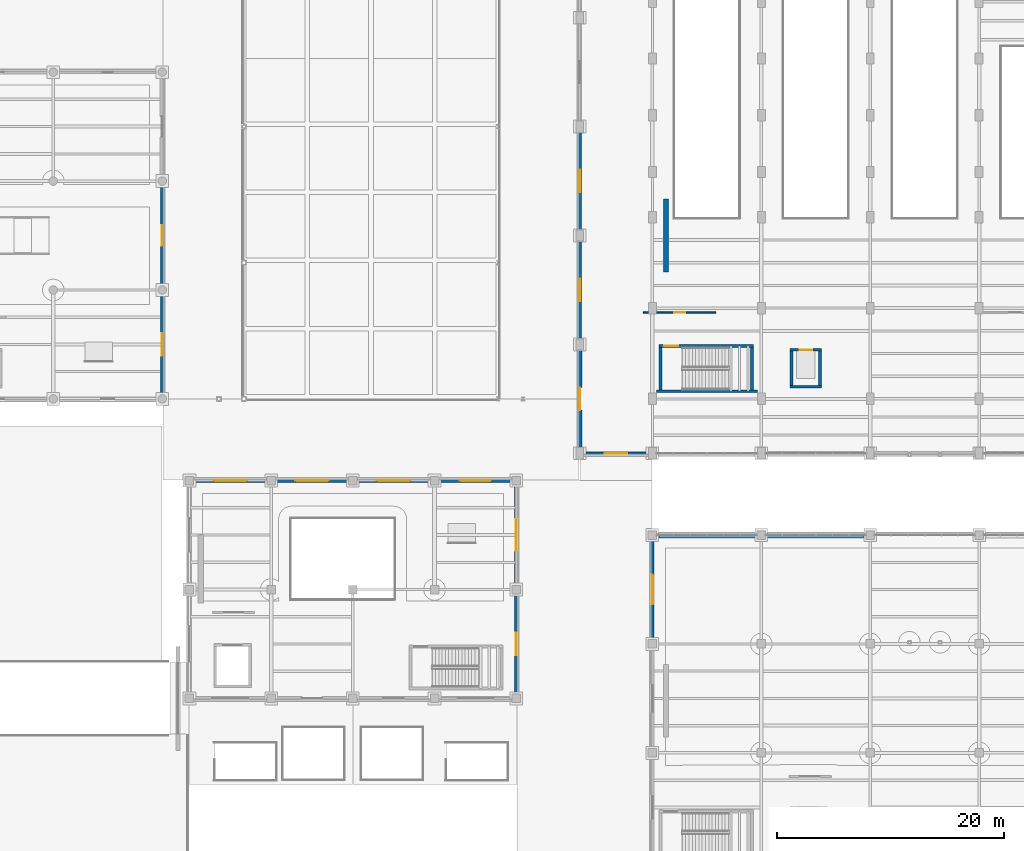
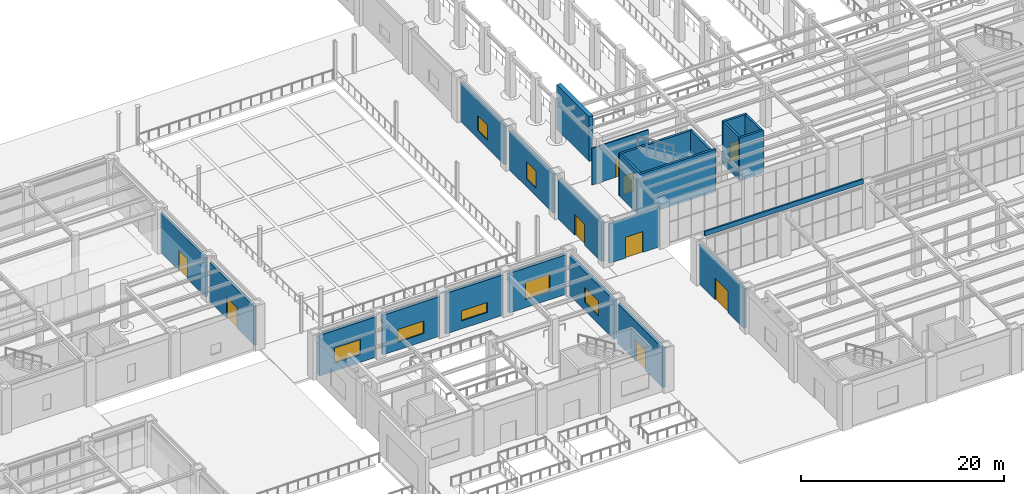
# One storey, part 132 of 164: 24 walls, 9 doors, 7 windows, 16 openings.
"""IFC4 building model written with IfcOpenShell, lengths in metres."""

from ifc_helpers import new_model, si_unit, direction, frame, frame_2d, origin, place, context, subcontext, project, spatial, rectangle, extrude, material, layer, layer_set, type_object, element, fill, save


model = new_model("IFC4")

# Units and contexts
model_context = context("Model", 3, precision=1e-05, world=origin(), true_north=direction((0.0, 1.0)))
body_context = subcontext(model_context, "Body", "Model", "MODEL_VIEW")
ifc_project = project(units=[si_unit("LENGTHUNIT", "METRE"), si_unit("AREAUNIT", "SQUARE_METRE"), si_unit("VOLUMEUNIT", "CUBIC_METRE"), si_unit("PLANEANGLEUNIT", "RADIAN"), si_unit("MASSUNIT", "GRAM", prefix="KILO")], contexts=[model_context])

# Site, building, storey
site_placement = place(None, origin())
site = spatial("IfcSite", under=ifc_project, at=site_placement, CompositionType="ELEMENT")
building_placement = place(site_placement, origin())
building = spatial("IfcBuilding", under=site, at=building_placement, Name="Mavantir Sound Aquarium", CompositionType="ELEMENT")
storey_placement = place(building_placement, origin())
storey = spatial("IfcBuildingStorey", under=building, at=storey_placement, Name="L00", CompositionType="ELEMENT", Elevation=0.0)

# Wall, opening, door
ifc_material_1 = material(Name="Coral-Buff Architectural Precast Concrete C40/50", Category="concrete")
ifc_layer_1 = layer(ifc_material_1, 0.31005859375, Name="Coral-Buff Architectural Precast Concrete C40/50")
ifc_layer_set_1 = layer_set([ifc_layer_1], Name="Coral-Buff Architectural Precast Concrete C40/50")
wall_type_1 = type_object("IfcWallType", Name="EW-CORAL-310", PredefinedType="SOLIDWALL", material=ifc_layer_set_1)
wall_1_placement = place(storey_placement, frame((108.0, 28.4169921875, 0.0), z_axis=(0.0, 0.0, 1.0), x_axis=(0.0, -1.0, 0.0)))
wall_1 = element("IfcWall", 1, at=wall_1_placement, inside=storey, type_object=wall_type_1, Name="L00 exterior facade wall EW-02 116", PredefinedType="SOLIDWALL", context=body_context, shape_type="SweptSolid", body=[
    extrude(rectangle(XDim=8.833984375, YDim=0.31005859375, at=frame_2d((4.4169921875, 0.0))), origin(), (0.0, 0.0, 1.0), 4.778076171875),
])
opening_1_placement = place(wall_1_placement, frame((5.717041015625, 0.0, 0.0), z_axis=(0.0, 0.0, 1.0), x_axis=(-1.0, 0.0, 0.0)))
opening_1 = element("IfcOpeningElement", 2, at=opening_1_placement, cuts=wall_1, Name="Opening SG-05", PredefinedType="OPENING", context=body_context, shape_type="SweptSolid", body=[
    extrude(rectangle(XDim=2.60009765625, YDim=2.60009765625, at=frame_2d((1.300048828125, 1.300048828125))), frame((0.0, 0.1650390625, 0.0), z_axis=(0.0, -1.0, 0.0), x_axis=(1.0, 0.0, 0.0)), (0.0, 0.0, 1.0), 0.330078125),
])
ifc_material_2 = material(Name="Marine-Grade Anodised Aluminium and Laminated Glass", Category="aluminium")
door_type_1 = type_object("IfcDoorType", Name="DR-GATE-260", OperationType="NOTDEFINED", PredefinedType="GATE", material=ifc_material_2)
door_1_placement = place(opening_1_placement, origin())
door_1 = element("IfcDoor", 3, at=door_1_placement, inside=storey, type_object=door_type_1, Name="Life support plant equipment gate SG-05", OperationType="ROLLINGUP", OverallHeight=2.60009765625, OverallWidth=2.60009765625, PredefinedType="GATE", context=body_context, shape_type="SweptSolid", body=[
    extrude(rectangle(XDim=2.60009765625, YDim=2.60009765625, at=frame_2d((1.300048828125, 1.300048828125))), frame((0.0, 0.02490234375, 0.0), z_axis=(0.0, -1.0, 0.0), x_axis=(1.0, 0.0, 0.0)), (0.0, 0.0, 1.0), 0.050048828125),
])
fill(opening_1, door_1)

ifc_layer_2 = layer(ifc_material_1, 0.340087890625, Name="Coral-Buff Architectural Precast Concrete C40/50")
ifc_layer_set_2 = layer_set([ifc_layer_2], Name="Coral-Buff Architectural Precast Concrete C40/50")
wall_type_2 = type_object("IfcWallType", Name="EW-CORAL-340", PredefinedType="SOLIDWALL", material=ifc_layer_set_2)
wall_2_placement = place(storey_placement, frame((96.0, 14.782958984375, 0.0), z_axis=(0.0, 0.0, 1.0), x_axis=(0.0, 1.0, 0.0)))
wall_2 = element("IfcWall", 4, at=wall_2_placement, inside=storey, type_object=wall_type_2, Name="L00 exterior facade wall EW-01 126", PredefinedType="SOLIDWALL", context=body_context, shape_type="SweptSolid", body=[
    extrude(rectangle(XDim=8.833984375, YDim=0.340087890625, at=frame_2d((4.4169921875, 0.0))), origin(), (0.0, 0.0, 1.0), 4.76611328125),
])
opening_2_placement = place(wall_2_placement, frame((5.4169921875, 0.0, 0.0), z_axis=(0.0, 0.0, 1.0), x_axis=(-1.0, 0.0, 0.0)))
opening_2 = element("IfcOpeningElement", 5, at=opening_2_placement, cuts=wall_2, Name="Opening EXD-01", PredefinedType="OPENING", context=body_context, shape_type="SweptSolid", body=[
    extrude(rectangle(XDim=2.0, YDim=2.5, at=frame_2d((1.0, 1.25))), frame((0.0, 0.18017578125, 0.0), z_axis=(0.0, -1.0, 0.0), x_axis=(1.0, 0.0, 0.0)), (0.0, 0.0, 1.0), 0.360107421875),
])
door_type_2 = type_object("IfcDoorType", Name="DR-EX-200", OperationType="NOTDEFINED", PredefinedType="DOOR", material=ifc_material_2)
door_2_placement = place(opening_2_placement, origin())
door_2 = element("IfcDoor", 6, at=door_2_placement, inside=storey, type_object=door_type_2, Name="Final exit door EX-10 (V7 ST11 discharge)", OperationType="DOUBLE_DOOR_SINGLE_SWING", OverallHeight=2.5, OverallWidth=2.0, PredefinedType="DOOR", context=body_context, shape_type="SweptSolid", body=[
    extrude(rectangle(XDim=2.0, YDim=2.5, at=frame_2d((1.0, 1.25))), frame((0.0, 0.02490234375, 0.0), z_axis=(0.0, -1.0, 0.0), x_axis=(1.0, 0.0, 0.0)), (0.0, 0.0, 1.0), 0.050048828125),
])
fill(opening_2, door_2)

# Wall, opening, window
wall_3_placement = place(storey_placement, frame((96.0, 24.383056640625, 0.0), z_axis=(0.0, 0.0, 1.0), x_axis=(0.0, 1.0, 0.0)))
wall_3 = element("IfcWall", 7, at=wall_3_placement, inside=storey, type_object=wall_type_2, Name="L00 exterior facade wall EW-01 127", PredefinedType="SOLIDWALL", context=body_context, shape_type="SweptSolid", body=[
    extrude(rectangle(XDim=8.833984375, YDim=0.340087890625, at=frame_2d((4.4169921875, 0.0))), origin(), (0.0, 0.0, 1.0), 4.64892578125),
])
opening_3_placement = place(wall_3_placement, frame((3.0419921875, 0.0, 0.949951171875)))
opening_3 = element("IfcOpeningElement", 8, at=opening_3_placement, cuts=wall_3, Name="Opening W-39", PredefinedType="OPENING", context=body_context, shape_type="SweptSolid", body=[
    extrude(rectangle(XDim=2.75, YDim=1.800048828125, at=frame_2d((1.375, 0.89990234375))), frame((0.0, 0.18017578125, 0.0), z_axis=(0.0, -1.0, 0.0), x_axis=(1.0, 0.0, 0.0)), (0.0, 0.0, 1.0), 0.360107421875),
])
ifc_material_3 = material(Name="Thermally Broken Aluminium and Low-E Glass", Category="aluminium")
window_type_1 = type_object("IfcWindowType", Name="WIN-EXT-39", PartitioningType="TRIPLE_PANEL_VERTICAL", PredefinedType="WINDOW", material=ifc_material_3)
window_1_placement = place(opening_3_placement, origin())
window_1 = element("IfcWindow", 9, at=window_1_placement, inside=storey, type_object=window_type_1, Name="L00 facade window W-39 39", OverallHeight=1.800048828125, OverallWidth=2.75, PartitioningType="SINGLE_PANEL", PredefinedType="WINDOW", context=body_context, shape_type="SweptSolid", body=[
    extrude(rectangle(XDim=2.75, YDim=1.800048828125, at=frame_2d((1.375, 0.89990234375))), frame((0.0, 0.030029296875, 0.0), z_axis=(0.0, -1.0, 0.0), x_axis=(1.0, 0.0, 0.0)), (0.0, 0.0, 1.0), 0.06005859375),
])
fill(opening_3, window_1)

wall_4_placement = place(storey_placement, frame((95.616943359375, 33.60009765625, 0.0), z_axis=(0.0, 0.0, 1.0), x_axis=(-1.0, 0.0, 0.0)))
wall_4 = element("IfcWall", 10, at=wall_4_placement, inside=storey, type_object=wall_type_2, Name="L00 exterior facade wall EW-01 128", PredefinedType="SOLIDWALL", context=body_context, shape_type="SweptSolid", body=[
    extrude(rectangle(XDim=6.433837890625, YDim=0.340087890625, at=frame_2d((3.216796875, 0.0))), origin(), (0.0, 0.0, 1.0), 4.758056640625),
])
opening_4_placement = place(wall_4_placement, frame((1.842041015625, 0.0, 0.949951171875)))
opening_4 = element("IfcOpeningElement", 11, at=opening_4_placement, cuts=wall_4, Name="Opening W-40", PredefinedType="OPENING", context=body_context, shape_type="SweptSolid", body=[
    extrude(rectangle(XDim=2.75, YDim=2.10009765625, at=frame_2d((1.375, 1.050048828125))), frame((0.0, 0.18017578125, 0.0), z_axis=(0.0, -1.0, 0.0), x_axis=(1.0, 0.0, 0.0)), (0.0, 0.0, 1.0), 0.360107421875),
])
window_type_2 = type_object("IfcWindowType", Name="WIN-EXT-40", PartitioningType="TRIPLE_PANEL_VERTICAL", PredefinedType="WINDOW", material=ifc_material_3)
window_2_placement = place(opening_4_placement, origin())
window_2 = element("IfcWindow", 12, at=window_2_placement, inside=storey, type_object=window_type_2, Name="L00 facade window W-40 40", OverallHeight=2.10009765625, OverallWidth=2.75, PartitioningType="SINGLE_PANEL", PredefinedType="WINDOW", context=body_context, shape_type="SweptSolid", body=[
    extrude(rectangle(XDim=2.75, YDim=2.10009765625, at=frame_2d((1.375, 1.050048828125))), frame((0.0, 0.030029296875, 0.0), z_axis=(0.0, -1.0, 0.0), x_axis=(1.0, 0.0, 0.0)), (0.0, 0.0, 1.0), 0.06005859375),
])
fill(opening_4, window_2)

wall_5_placement = place(storey_placement, frame((88.4169921875, 33.60009765625, 0.0), z_axis=(0.0, 0.0, 1.0), x_axis=(-1.0, 0.0, 0.0)))
wall_5 = element("IfcWall", 13, at=wall_5_placement, inside=storey, type_object=wall_type_2, Name="L00 exterior facade wall EW-01 129", PredefinedType="SOLIDWALL", context=body_context, shape_type="SweptSolid", body=[
    extrude(rectangle(XDim=6.43408203125, YDim=0.340087890625, at=frame_2d((3.217041015625, 0.0))), origin(), (0.0, 0.0, 1.0), 4.863037109375),
])
opening_5_placement = place(wall_5_placement, frame((1.741943359375, 0.0, 0.949951171875)))
opening_5 = element("IfcOpeningElement", 14, at=opening_5_placement, cuts=wall_5, Name="Opening W-41", PredefinedType="OPENING", context=body_context, shape_type="SweptSolid", body=[
    extrude(rectangle(XDim=2.949951171875, YDim=1.199951171875, at=frame_2d((1.47509765625, 0.60009765625))), frame((0.0, 0.18017578125, 0.0), z_axis=(0.0, -1.0, 0.0), x_axis=(1.0, 0.0, 0.0)), (0.0, 0.0, 1.0), 0.360107421875),
])
window_type_3 = type_object("IfcWindowType", Name="WIN-EXT-41", PartitioningType="TRIPLE_PANEL_VERTICAL", PredefinedType="WINDOW", material=ifc_material_3)
window_3_placement = place(opening_5_placement, origin())
window_3 = element("IfcWindow", 15, at=window_3_placement, inside=storey, type_object=window_type_3, Name="L00 facade window W-41 41", OverallHeight=1.199951171875, OverallWidth=2.949951171875, PartitioningType="SINGLE_PANEL", PredefinedType="WINDOW", context=body_context, shape_type="SweptSolid", body=[
    extrude(rectangle(XDim=2.949951171875, YDim=1.199951171875, at=frame_2d((1.47509765625, 0.60009765625))), frame((0.0, 0.030029296875, 0.0), z_axis=(0.0, -1.0, 0.0), x_axis=(1.0, 0.0, 0.0)), (0.0, 0.0, 1.0), 0.06005859375),
])
fill(opening_5, window_3)

wall_6_placement = place(storey_placement, frame((81.217041015625, 33.60009765625, 0.0), z_axis=(0.0, 0.0, 1.0), x_axis=(-1.0, 0.0, 0.0)))
wall_6 = element("IfcWall", 16, at=wall_6_placement, inside=storey, type_object=wall_type_2, Name="L00 exterior facade wall EW-01 130", PredefinedType="SOLIDWALL", context=body_context, shape_type="SweptSolid", body=[
    extrude(rectangle(XDim=6.43408203125, YDim=0.340087890625, at=frame_2d((3.217041015625, 0.0))), origin(), (0.0, 0.0, 1.0), 4.758056640625),
])
opening_6_placement = place(wall_6_placement, frame((1.741943359375, 0.0, 0.949951171875)))
opening_6 = element("IfcOpeningElement", 17, at=opening_6_placement, cuts=wall_6, Name="Opening W-42", PredefinedType="OPENING", context=body_context, shape_type="SweptSolid", body=[
    extrude(rectangle(XDim=2.949951171875, YDim=1.5, at=frame_2d((1.47509765625, 0.75))), frame((0.0, 0.18017578125, 0.0), z_axis=(0.0, -1.0, 0.0), x_axis=(1.0, 0.0, 0.0)), (0.0, 0.0, 1.0), 0.360107421875),
])
window_type_4 = type_object("IfcWindowType", Name="WIN-EXT-42", PartitioningType="TRIPLE_PANEL_VERTICAL", PredefinedType="WINDOW", material=ifc_material_3)
window_4_placement = place(opening_6_placement, origin())
window_4 = element("IfcWindow", 18, at=window_4_placement, inside=storey, type_object=window_type_4, Name="L00 facade window W-42 42", OverallHeight=1.5, OverallWidth=2.949951171875, PartitioningType="SINGLE_PANEL", PredefinedType="WINDOW", context=body_context, shape_type="SweptSolid", body=[
    extrude(rectangle(XDim=2.949951171875, YDim=1.5, at=frame_2d((1.47509765625, 0.75))), frame((0.0, 0.030029296875, 0.0), z_axis=(0.0, -1.0, 0.0), x_axis=(1.0, 0.0, 0.0)), (0.0, 0.0, 1.0), 0.06005859375),
])
fill(opening_6, window_4)

wall_7_placement = place(storey_placement, frame((74.01708984375, 33.60009765625, 0.0), z_axis=(0.0, 0.0, 1.0), x_axis=(-1.0, 0.0, 0.0)))
wall_7 = element("IfcWall", 19, at=wall_7_placement, inside=storey, type_object=wall_type_2, Name="L00 exterior facade wall EW-01 131", PredefinedType="SOLIDWALL", context=body_context, shape_type="SweptSolid", body=[
    extrude(rectangle(XDim=6.43408203125, YDim=0.340087890625, at=frame_2d((3.217041015625, 0.0))), origin(), (0.0, 0.0, 1.0), 4.863037109375),
])
opening_7_placement = place(wall_7_placement, frame((1.741943359375, 0.0, 0.949951171875)))
opening_7 = element("IfcOpeningElement", 20, at=opening_7_placement, cuts=wall_7, Name="Opening W-43", PredefinedType="OPENING", context=body_context, shape_type="SweptSolid", body=[
    extrude(rectangle(XDim=2.949951171875, YDim=1.800048828125, at=frame_2d((1.47509765625, 0.89990234375))), frame((0.0, 0.18017578125, 0.0), z_axis=(0.0, -1.0, 0.0), x_axis=(1.0, 0.0, 0.0)), (0.0, 0.0, 1.0), 0.360107421875),
])
window_type_5 = type_object("IfcWindowType", Name="WIN-EXT-43", PartitioningType="TRIPLE_PANEL_VERTICAL", PredefinedType="WINDOW", material=ifc_material_3)
window_5_placement = place(opening_7_placement, origin())
window_5 = element("IfcWindow", 21, at=window_5_placement, inside=storey, type_object=window_type_5, Name="L00 facade window W-43 43", OverallHeight=1.800048828125, OverallWidth=2.949951171875, PartitioningType="SINGLE_PANEL", PredefinedType="WINDOW", context=body_context, shape_type="SweptSolid", body=[
    extrude(rectangle(XDim=2.949951171875, YDim=1.800048828125, at=frame_2d((1.47509765625, 0.89990234375))), frame((0.0, 0.030029296875, 0.0), z_axis=(0.0, -1.0, 0.0), x_axis=(1.0, 0.0, 0.0)), (0.0, 0.0, 1.0), 0.06005859375),
])
fill(opening_7, window_5)

# Wall
ifc_material_4 = material(Name="Architectural Precast Concrete C40/50", Category="concrete")
ifc_layer_3 = layer(ifc_material_4, 0.18994140625, Name="Architectural Precast Concrete C40/50")
ifc_layer_set_3 = layer_set([ifc_layer_3], Name="Architectural Precast Concrete C40/50")
wall_type_3 = type_object("IfcWallType", Name="EW-PAR-190", PredefinedType="PARAPET", material=ifc_layer_set_3)
wall_8_placement = place(storey_placement, frame((108.60009765625, 28.64990234375, 5.39990234375), z_axis=(0.0, 0.0, 1.0), x_axis=(1.0, 0.0, 0.0)))
element("IfcWall", 22, at=wall_8_placement, inside=storey, type_object=wall_type_3, Name="Roof gravel-stop parapet 4A", PredefinedType="PARAPET", context=body_context, shape_type="SweptSolid", body=[
    extrude(rectangle(XDim=18.0, YDim=0.18994140625, at=frame_2d((9.0, 0.0))), origin(), (0.0, 0.0, 1.0), 0.550048828125),
])

# Wall, opening, door
ifc_layer_4 = layer(ifc_material_4, 0.239990234375, Name="Architectural Precast Concrete C40/50")
ifc_layer_set_4 = layer_set([ifc_layer_4], Name="Architectural Precast Concrete C40/50")
wall_type_4 = type_object("IfcWallType", Name="EW-PRE-240", PredefinedType="SOLIDWALL", material=ifc_layer_set_4)
wall_9_placement = place(storey_placement, frame((101.9580078125, 36.0, 0.0), z_axis=(0.0, 0.0, 1.0), x_axis=(1.0, 0.0, 0.0)))
wall_9 = element("IfcWall", 23, at=wall_9_placement, inside=storey, type_object=wall_type_4, Name="L00 exterior facade wall EW-06 96", PredefinedType="SOLIDWALL", context=body_context, shape_type="SweptSolid", body=[
    extrude(rectangle(XDim=5.68408203125, YDim=0.239990234375, at=frame_2d((2.842041015625, 0.0))), origin(), (0.0, 0.0, 1.0), 4.72802734375),
])
opening_8_placement = place(wall_9_placement, frame((3.842041015625, 0.0, 0.0), z_axis=(0.0, 0.0, 1.0), x_axis=(-1.0, 0.0, 0.0)))
opening_8 = element("IfcOpeningElement", 24, at=opening_8_placement, cuts=wall_9, Name="Opening EXD-01", PredefinedType="OPENING", context=body_context, shape_type="SweptSolid", body=[
    extrude(rectangle(XDim=2.0, YDim=2.5, at=frame_2d((1.0, 1.25))), frame((0.0, 0.1298828125, 0.0), z_axis=(0.0, -1.0, 0.0), x_axis=(1.0, 0.0, 0.0)), (0.0, 0.0, 1.0), 0.260009765625),
])
door_3_placement = place(opening_8_placement, origin())
door_3 = element("IfcDoor", 25, at=door_3_placement, inside=storey, type_object=door_type_2, Name="Final exit door EX-04 (V4 ST4 discharge)", OperationType="DOUBLE_DOOR_SINGLE_SWING", OverallHeight=2.5, OverallWidth=2.0, PredefinedType="DOOR", context=body_context, shape_type="SweptSolid", body=[
    extrude(rectangle(XDim=2.0, YDim=2.5, at=frame_2d((1.0, 1.25))), frame((0.0, 0.02490234375, 0.0), z_axis=(0.0, -1.0, 0.0), x_axis=(1.0, 0.0, 0.0)), (0.0, 0.0, 1.0), 0.050048828125),
])
fill(opening_8, door_3)

ifc_layer_5 = layer(ifc_material_1, 0.360107421875, Name="Coral-Buff Architectural Precast Concrete C40/50")
ifc_layer_set_5 = layer_set([ifc_layer_5], Name="Coral-Buff Architectural Precast Concrete C40/50")
wall_type_5 = type_object("IfcWallType", Name="EW-PRE-360", PredefinedType="SOLIDWALL", material=ifc_layer_set_5)
wall_10_placement = place(storey_placement, frame((101.60009765625, 45.092041015625, 0.0), z_axis=(0.0, 0.0, 1.0), x_axis=(0.0, -1.0, 0.0)))
wall_10 = element("IfcWall", 26, at=wall_10_placement, inside=storey, type_object=wall_type_5, Name="L00 exterior facade wall EW-05 95", PredefinedType="SOLIDWALL", context=body_context, shape_type="SweptSolid", body=[
    extrude(rectangle(XDim=8.583984375, YDim=0.360107421875, at=frame_2d((4.2919921875, 0.0))), origin(), (0.0, 0.0, 1.0), 4.736083984375),
])
opening_9_placement = place(wall_10_placement, frame((5.2919921875, 0.0, 0.0), z_axis=(0.0, 0.0, 1.0), x_axis=(-1.0, 0.0, 0.0)))
opening_9 = element("IfcOpeningElement", 27, at=opening_9_placement, cuts=wall_10, Name="Opening EXD-01", PredefinedType="OPENING", context=body_context, shape_type="SweptSolid", body=[
    extrude(rectangle(XDim=2.0, YDim=2.5, at=frame_2d((1.0, 1.25))), frame((0.0, 0.18994140625, 0.0), z_axis=(0.0, -1.0, 0.0), x_axis=(1.0, 0.0, 0.0)), (0.0, 0.0, 1.0), 0.380126953125),
])
door_4_placement = place(opening_9_placement, origin())
door_4 = element("IfcDoor", 28, at=door_4_placement, inside=storey, type_object=door_type_2, Name="Final exit door EX-05 (V4 ST12 discharge)", OperationType="DOUBLE_DOOR_SINGLE_SWING", OverallHeight=2.5, OverallWidth=2.0, PredefinedType="DOOR", context=body_context, shape_type="SweptSolid", body=[
    extrude(rectangle(XDim=2.0, YDim=2.5, at=frame_2d((1.0, 1.25))), frame((0.0, 0.02490234375, 0.0), z_axis=(0.0, -1.0, 0.0), x_axis=(1.0, 0.0, 0.0)), (0.0, 0.0, 1.0), 0.050048828125),
])
fill(opening_9, door_4)

ifc_material_5 = material(Name="Cerulean Glazed Terracotta Rainscreen on Concrete C40/50", Category="masonry")
ifc_layer_6 = layer(ifc_material_5, 0.27001953125, Name="Cerulean Glazed Terracotta Rainscreen on Concrete C40/50")
ifc_layer_set_6 = layer_set([ifc_layer_6], Name="Cerulean Glazed Terracotta Rainscreen on Concrete C40/50")
wall_type_6 = type_object("IfcWallType", Name="EW-TERRA-270", PredefinedType="SOLIDWALL", material=ifc_layer_set_6)
wall_11_placement = place(storey_placement, frame((64.800048828125, 50.782958984375, 0.0), z_axis=(0.0, 0.0, 1.0), x_axis=(0.0, 1.0, 0.0)))
wall_11 = element("IfcWall", 29, at=wall_11_placement, inside=storey, type_object=wall_type_6, Name="L00 exterior facade wall EW-04 64", PredefinedType="SOLIDWALL", context=body_context, shape_type="SweptSolid", body=[
    extrude(rectangle(XDim=8.833984375, YDim=0.27001953125, at=frame_2d((4.4169921875, 0.0))), origin(), (0.0, 0.0, 1.0), 4.758056640625),
])
opening_10_placement = place(wall_11_placement, frame((5.317138671875, 0.0, 0.0), z_axis=(0.0, 0.0, 1.0), x_axis=(-1.0, 0.0, 0.0)))
opening_10 = element("IfcOpeningElement", 30, at=opening_10_placement, cuts=wall_11, Name="Opening EXD-02", PredefinedType="OPENING", context=body_context, shape_type="SweptSolid", body=[
    extrude(rectangle(XDim=1.800048828125, YDim=2.39990234375, at=frame_2d((0.89990234375, 1.199951171875))), frame((0.0, 0.14501953125, 0.0), z_axis=(0.0, -1.0, 0.0), x_axis=(1.0, 0.0, 0.0)), (0.0, 0.0, 1.0), 0.2900390625),
])
door_type_3 = type_object("IfcDoorType", Name="DR-EX-180", OperationType="NOTDEFINED", PredefinedType="DOOR", material=ifc_material_2)
door_5_placement = place(opening_10_placement, origin())
door_5 = element("IfcDoor", 31, at=door_5_placement, inside=storey, type_object=door_type_3, Name="Final exit door EX-21 (V2)", OperationType="DOUBLE_DOOR_SINGLE_SWING", OverallHeight=2.39990234375, OverallWidth=1.800048828125, PredefinedType="DOOR", context=body_context, shape_type="SweptSolid", body=[
    extrude(rectangle(XDim=1.800048828125, YDim=2.39990234375, at=frame_2d((0.89990234375, 1.199951171875))), frame((0.0, 0.02490234375, 0.0), z_axis=(0.0, -1.0, 0.0), x_axis=(1.0, 0.0, 0.0)), (0.0, 0.0, 1.0), 0.050048828125),
])
fill(opening_10, door_5)

# Wall, opening, window
wall_12_placement = place(storey_placement, frame((101.60009765625, 54.69189453125, 0.0), z_axis=(0.0, 0.0, 1.0), x_axis=(0.0, -1.0, 0.0)))
wall_12 = element("IfcWall", 32, at=wall_12_placement, inside=storey, type_object=wall_type_6, Name="L00 exterior facade wall EW-04 94", PredefinedType="SOLIDWALL", context=body_context, shape_type="SweptSolid", body=[
    extrude(rectangle(XDim=8.583984375, YDim=0.27001953125, at=frame_2d((4.2919921875, 0.0))), origin(), (0.0, 0.0, 1.0), 4.736083984375),
])
opening_11_placement = place(wall_12_placement, frame((3.31689453125, 0.0, 0.949951171875)))
opening_11 = element("IfcOpeningElement", 33, at=opening_11_placement, cuts=wall_12, Name="Opening W-24", PredefinedType="OPENING", context=body_context, shape_type="SweptSolid", body=[
    extrude(rectangle(XDim=1.949951171875, YDim=2.10009765625, at=frame_2d((0.97509765625, 1.050048828125))), frame((0.0, 0.14501953125, 0.0), z_axis=(0.0, -1.0, 0.0), x_axis=(1.0, 0.0, 0.0)), (0.0, 0.0, 1.0), 0.2900390625),
])
window_type_6 = type_object("IfcWindowType", Name="WIN-EXT-24", PartitioningType="DOUBLE_PANEL_VERTICAL", PredefinedType="WINDOW", material=ifc_material_3)
window_6_placement = place(opening_11_placement, origin())
window_6 = element("IfcWindow", 34, at=window_6_placement, inside=storey, type_object=window_type_6, Name="L00 facade window W-24 24", OverallHeight=2.10009765625, OverallWidth=1.949951171875, PartitioningType="SINGLE_PANEL", PredefinedType="WINDOW", context=body_context, shape_type="SweptSolid", body=[
    extrude(rectangle(XDim=1.949951171875, YDim=2.10009765625, at=frame_2d((0.97509765625, 1.050048828125))), frame((0.0, 0.030029296875, 0.0), z_axis=(0.0, -1.0, 0.0), x_axis=(1.0, 0.0, 0.0)), (0.0, 0.0, 1.0), 0.06005859375),
])
fill(opening_11, window_6)

# Wall, opening, door
ifc_material_6 = material(Name="Turquoise Glazed Terracotta Rainscreen on Concrete C40/50", Category="masonry")
ifc_layer_7 = layer(ifc_material_6, 0.2900390625, Name="Turquoise Glazed Terracotta Rainscreen on Concrete C40/50")
ifc_layer_set_7 = layer_set([ifc_layer_7], Name="Turquoise Glazed Terracotta Rainscreen on Concrete C40/50")
wall_type_7 = type_object("IfcWallType", Name="EW-TERRA-290", PredefinedType="SOLIDWALL", material=ifc_layer_set_7)
wall_13_placement = place(storey_placement, frame((64.800048828125, 41.18310546875, 0.0), z_axis=(0.0, 0.0, 1.0), x_axis=(0.0, 1.0, 0.0)))
wall_13 = element("IfcWall", 35, at=wall_13_placement, inside=storey, type_object=wall_type_7, Name="L00 exterior facade wall EW-03 63", PredefinedType="SOLIDWALL", context=body_context, shape_type="SweptSolid", body=[
    extrude(rectangle(XDim=8.833984375, YDim=0.2900390625, at=frame_2d((4.4169921875, 0.0))), origin(), (0.0, 0.0, 1.0), 4.64892578125),
])
opening_12_placement = place(wall_13_placement, frame((5.4169921875, 0.0, 0.0), z_axis=(0.0, 0.0, 1.0), x_axis=(-1.0, 0.0, 0.0)))
opening_12 = element("IfcOpeningElement", 36, at=opening_12_placement, cuts=wall_13, Name="Opening EXD-01", PredefinedType="OPENING", context=body_context, shape_type="SweptSolid", body=[
    extrude(rectangle(XDim=2.0, YDim=2.5, at=frame_2d((1.0, 1.25))), frame((0.0, 0.155029296875, 0.0), z_axis=(0.0, -1.0, 0.0), x_axis=(1.0, 0.0, 0.0)), (0.0, 0.0, 1.0), 0.31005859375),
])
door_6_placement = place(opening_12_placement, origin())
door_6 = element("IfcDoor", 37, at=door_6_placement, inside=storey, type_object=door_type_2, Name="Final exit door EX-09 (V2 ST8 discharge)", OperationType="DOUBLE_DOOR_SINGLE_SWING", OverallHeight=2.5, OverallWidth=2.0, PredefinedType="DOOR", context=body_context, shape_type="SweptSolid", body=[
    extrude(rectangle(XDim=2.0, YDim=2.5, at=frame_2d((1.0, 1.25))), frame((0.0, 0.02490234375, 0.0), z_axis=(0.0, -1.0, 0.0), x_axis=(1.0, 0.0, 0.0)), (0.0, 0.0, 1.0), 0.050048828125),
])
fill(opening_12, door_6)

# Wall, opening, window
wall_14_placement = place(storey_placement, frame((101.60009765625, 64.2919921875, 0.0), z_axis=(0.0, 0.0, 1.0), x_axis=(0.0, -1.0, 0.0)))
wall_14 = element("IfcWall", 38, at=wall_14_placement, inside=storey, type_object=wall_type_7, Name="L00 exterior facade wall EW-03 93", PredefinedType="SOLIDWALL", context=body_context, shape_type="SweptSolid", body=[
    extrude(rectangle(XDim=8.583984375, YDim=0.2900390625, at=frame_2d((4.2919921875, 0.0))), origin(), (0.0, 0.0, 1.0), 4.736083984375),
])
opening_13_placement = place(wall_14_placement, frame((3.31689453125, 0.0, 0.949951171875)))
opening_13 = element("IfcOpeningElement", 39, at=opening_13_placement, cuts=wall_14, Name="Opening W-23", PredefinedType="OPENING", context=body_context, shape_type="SweptSolid", body=[
    extrude(rectangle(XDim=1.949951171875, YDim=1.800048828125, at=frame_2d((0.97509765625, 0.89990234375))), frame((0.0, 0.155029296875, 0.0), z_axis=(0.0, -1.0, 0.0), x_axis=(1.0, 0.0, 0.0)), (0.0, 0.0, 1.0), 0.31005859375),
])
window_type_7 = type_object("IfcWindowType", Name="WIN-EXT-23", PartitioningType="DOUBLE_PANEL_VERTICAL", PredefinedType="WINDOW", material=ifc_material_3)
window_7_placement = place(opening_13_placement, origin())
window_7 = element("IfcWindow", 40, at=window_7_placement, inside=storey, type_object=window_type_7, Name="L00 facade window W-23 23", OverallHeight=1.800048828125, OverallWidth=1.949951171875, PartitioningType="SINGLE_PANEL", PredefinedType="WINDOW", context=body_context, shape_type="SweptSolid", body=[
    extrude(rectangle(XDim=1.949951171875, YDim=1.800048828125, at=frame_2d((0.97509765625, 0.89990234375))), frame((0.0, 0.030029296875, 0.0), z_axis=(0.0, -1.0, 0.0), x_axis=(1.0, 0.0, 0.0)), (0.0, 0.0, 1.0), 0.06005859375),
])
fill(opening_13, window_7)

# Wall, opening, door
ifc_material_7 = material(Name="Acoustic Metal-Stud Gypsum Partition", Category="gypsum")
ifc_layer_8 = layer(ifc_material_7, 0.1298828125, Name="Acoustic Metal-Stud Gypsum Partition")
ifc_layer_set_8 = layer_set([ifc_layer_8], Name="Acoustic Metal-Stud Gypsum Partition")
wall_type_8 = type_object("IfcWallType", Name="IW-PART-130", PredefinedType="PARTITIONING", material=ifc_layer_set_8)
wall_15_placement = place(storey_placement, frame((107.198486328125, 48.425048828125, 0.0), z_axis=(0.0, 0.0, 1.0), x_axis=(1.0, 0.0, 0.0)))
wall_15 = element("IfcWall", 41, at=wall_15_placement, inside=storey, type_object=wall_type_8, Name="L00 Tidal Water Court Colonnade Plinth Foyer entry partition", PredefinedType="PARTITIONING", context=body_context, shape_type="SweptSolid", body=[
    extrude(rectangle(XDim=6.39990234375, YDim=0.1298828125, at=frame_2d((3.199951171875, 0.0))), origin(), (0.0, 0.0, 1.0), 4.425048828125),
])
opening_14_placement = place(wall_15_placement, frame((2.7099609375, 0.0, 0.0)))
opening_14 = element("IfcOpeningElement", 42, at=opening_14_placement, cuts=wall_15, Name="Opening ID-03", PredefinedType="OPENING", context=body_context, shape_type="SweptSolid", body=[
    extrude(rectangle(XDim=0.97998046875, YDim=2.14990234375, at=frame_2d((0.489990234375, 1.074951171875))), frame((0.0, 0.074951171875, 0.0), z_axis=(0.0, -1.0, 0.0), x_axis=(1.0, 0.0, 0.0)), (0.0, 0.0, 1.0), 0.14990234375),
])
ifc_material_8 = material(Name="Solid-Core Marine Hardwood and Vision-Panel Door", Category="wood")
door_type_4 = type_object("IfcDoorType", Name="DR-INT-03", OperationType="NOTDEFINED", PredefinedType="DOOR", material=ifc_material_8)
door_7_placement = place(opening_14_placement, origin())
door_7 = element("IfcDoor", 43, at=door_7_placement, inside=storey, type_object=door_type_4, Name="Tidal Water Court Colonnade Plinth Foyer door", OperationType="SINGLE_SWING_LEFT", OverallHeight=2.14990234375, OverallWidth=0.97998046875, PredefinedType="DOOR", context=body_context, shape_type="SweptSolid", body=[
    extrude(rectangle(XDim=0.97998046875, YDim=2.14990234375, at=frame_2d((0.489990234375, 1.074951171875))), frame((0.0, 0.02490234375, 0.0), z_axis=(0.0, -1.0, 0.0), x_axis=(1.0, 0.0, 0.0)), (0.0, 0.0, 1.0), 0.050048828125),
])
fill(opening_14, door_7)

# Wall
ifc_material_9 = material(Name="Concrete C40/50", Category="concrete")
ifc_layer_9 = layer(ifc_material_9, 0.25, Name="Concrete C40/50")
ifc_layer_set_9 = layer_set([ifc_layer_9], Name="Concrete C40/50")
wall_type_9 = type_object("IfcWallType", Name="IW-SHAFT-250", PredefinedType="SHEAR", material=ifc_layer_set_9)
wall_16_placement = place(storey_placement, frame((108.35009765625, 41.47509765625, 0.0), z_axis=(0.0, 0.0, 1.0), x_axis=(1.0, 0.0, 0.0)))
element("IfcWall", 44, at=wall_16_placement, inside=storey, type_object=wall_type_9, Name="L00 stair ST4 shaft wall S", PredefinedType="SHEAR", context=body_context, shape_type="SweptSolid", body=[
    extrude(rectangle(XDim=8.89990234375, YDim=0.25, at=frame_2d((4.449951171875, 0.0))), origin(), (0.0, 0.0, 1.0), 5.070068359375),
])

# Wall, opening, door
wall_17_placement = place(storey_placement, frame((116.89990234375, 45.47509765625, 0.0), z_axis=(0.0, 0.0, 1.0), x_axis=(-1.0, 0.0, 0.0)))
wall_17 = element("IfcWall", 45, at=wall_17_placement, inside=storey, type_object=wall_type_9, Name="L00 stair ST4 shaft wall N", PredefinedType="SHEAR", context=body_context, shape_type="SweptSolid", body=[
    extrude(rectangle(XDim=8.2998046875, YDim=0.25, at=frame_2d((4.14990234375, 0.0))), origin(), (0.0, 0.0, 1.0), 5.070068359375),
])
opening_15_placement = place(wall_17_placement, frame((7.85009765625, 0.0, 0.0), z_axis=(0.0, 0.0, 1.0), x_axis=(-1.0, 0.0, 0.0)))
opening_15 = element("IfcOpeningElement", 46, at=opening_15_placement, cuts=wall_17, Name="Opening SD-01", PredefinedType="OPENING", context=body_context, shape_type="SweptSolid", body=[
    extrude(rectangle(XDim=1.25, YDim=2.199951171875, at=frame_2d((0.625, 1.10009765625))), frame((0.0, 0.135009765625, 0.0), z_axis=(0.0, -1.0, 0.0), x_axis=(1.0, 0.0, 0.0)), (0.0, 0.0, 1.0), 0.27001953125),
])
ifc_material_10 = material(Name="Fire-Rated Steel Acoustic Door Leaf", Category="steel")
door_type_5 = type_object("IfcDoorType", Name="DR-ST-125", OperationType="NOTDEFINED", PredefinedType="DOOR", material=ifc_material_10)
door_8_placement = place(opening_15_placement, origin())
door_8 = element("IfcDoor", 47, at=door_8_placement, inside=storey, type_object=door_type_5, Name="L00 protected exit stair ST4 door", OperationType="SINGLE_SWING_LEFT", OverallHeight=2.199951171875, OverallWidth=1.25, PredefinedType="DOOR", context=body_context, shape_type="SweptSolid", body=[
    extrude(rectangle(XDim=1.25, YDim=2.199951171875, at=frame_2d((0.625, 1.10009765625))), frame((0.0, 0.02490234375, 0.0), z_axis=(0.0, -1.0, 0.0), x_axis=(1.0, 0.0, 0.0)), (0.0, 0.0, 1.0), 0.050048828125),
])
fill(opening_15, door_8)

# Walls
for number, where, z_axis, x_axis, name in (
    (48, (108.72509765625, 45.35009765625, 0.0), (0.0, 0.0, 1.0), (0.0, -1.0, 0.0), "L00 stair ST4 shaft wall W"),
    (49, (116.77490234375, 41.60009765625, 0.0), (0.0, 0.0, 1.0), (0.0, 1.0, 0.0), "L00 stair ST4 shaft wall E"),
):
    element("IfcWall", number, at=place(storey_placement, frame(where, z_axis=z_axis, x_axis=x_axis)), inside=storey, type_object=wall_type_9, Name=name, PredefinedType="SHEAR", context=body_context, shape_type="SweptSolid", body=[
        extrude(rectangle(XDim=3.75, YDim=0.25, at=frame_2d((1.875, 0.0))), origin(), (0.0, 0.0, 1.0), 5.070068359375),
    ])
wall_18_placement = place(storey_placement, frame((120.14990234375, 41.875, 0.0), z_axis=(0.0, 0.0, 1.0), x_axis=(1.0, 0.0, 0.0)))
element("IfcWall", 50, at=wall_18_placement, inside=storey, type_object=wall_type_9, Name="L00 lift LC4 shaft wall S", PredefinedType="SHEAR", context=body_context, shape_type="SweptSolid", body=[
    extrude(rectangle(XDim=2.75, YDim=0.25, at=frame_2d((1.375, 0.0))), origin(), (0.0, 0.0, 1.0), 5.110107421875),
])

# Wall, opening, door
wall_19_placement = place(storey_placement, frame((120.14990234375, 45.125, 0.0), z_axis=(0.0, 0.0, 1.0), x_axis=(1.0, 0.0, 0.0)))
wall_19 = element("IfcWall", 51, at=wall_19_placement, inside=storey, type_object=wall_type_9, Name="L00 lift LC4 shaft wall N", PredefinedType="SHEAR", context=body_context, shape_type="SweptSolid", body=[
    extrude(rectangle(XDim=2.75, YDim=0.25, at=frame_2d((1.375, 0.0))), origin(), (0.0, 0.0, 1.0), 5.110107421875),
])
opening_16_placement = place(wall_19_placement, frame((0.824951171875, 0.0, 0.0)))
opening_16 = element("IfcOpeningElement", 52, at=opening_16_placement, cuts=wall_19, Name="Opening LD-02", PredefinedType="OPENING", context=body_context, shape_type="SweptSolid", body=[
    extrude(rectangle(XDim=1.10009765625, YDim=2.199951171875, at=frame_2d((0.550048828125, 1.10009765625))), frame((0.0, 0.135009765625, 0.0), z_axis=(0.0, -1.0, 0.0), x_axis=(1.0, 0.0, 0.0)), (0.0, 0.0, 1.0), 0.27001953125),
])
ifc_material_11 = material(Name="Stainless Steel 316 Sliding Lift Landing Door", Category="steel")
door_type_6 = type_object("IfcDoorType", Name="DR-LD-110", OperationType="NOTDEFINED", PredefinedType="DOOR", material=ifc_material_11)
door_9_placement = place(opening_16_placement, origin())
door_9 = element("IfcDoor", 53, at=door_9_placement, inside=storey, type_object=door_type_6, Name="Lift LC4 sliding landing door (L00)", OperationType="DOUBLE_DOOR_SLIDING", OverallHeight=2.199951171875, OverallWidth=1.10009765625, PredefinedType="DOOR", context=body_context, shape_type="SweptSolid", body=[
    extrude(rectangle(XDim=1.10009765625, YDim=2.199951171875, at=frame_2d((0.550048828125, 1.10009765625))), frame((0.0, 0.02490234375, 0.0), z_axis=(0.0, -1.0, 0.0), x_axis=(1.0, 0.0, 0.0)), (0.0, 0.0, 1.0), 0.050048828125),
])
fill(opening_16, door_9)

# Walls
for number, where, z_axis, x_axis, name in (
    (54, (120.27490234375, 42.0, 0.0), (0.0, 0.0, 1.0), (0.0, 1.0, 0.0), "L00 lift LC4 shaft wall W"),
    (55, (122.77490234375, 42.0, 0.0), (0.0, 0.0, 1.0), (0.0, 1.0, 0.0), "L00 lift LC4 shaft wall E"),
):
    element("IfcWall", number, at=place(storey_placement, frame(where, z_axis=z_axis, x_axis=x_axis)), inside=storey, type_object=wall_type_9, Name=name, PredefinedType="SHEAR", context=body_context, shape_type="SweptSolid", body=[
        extrude(rectangle(XDim=3.0, YDim=0.25, at=frame_2d((1.5, 0.0))), origin(), (0.0, 0.0, 1.0), 5.110107421875),
    ])
ifc_layer_10 = layer(ifc_material_9, 0.449951171875, Name="Concrete C40/50")
ifc_layer_set_10 = layer_set([ifc_layer_10], Name="Concrete C40/50")
wall_type_10 = type_object("IfcWallType", Name="SW-SHR-450", PredefinedType="SHEAR", material=ifc_layer_set_10)
wall_20_placement = place(storey_placement, frame((109.199951171875, 52.0, 0.0), z_axis=(0.0, 0.0, 1.0), x_axis=(0.0, 1.0, 0.0)))
element("IfcWall", 56, at=wall_20_placement, inside=storey, type_object=wall_type_10, Name="L00 special RC shear wall 26 (V4)", PredefinedType="SHEAR", context=body_context, shape_type="SweptSolid", body=[
    extrude(rectangle(XDim=6.39990234375, YDim=0.449951171875, at=frame_2d((3.199951171875, 0.0))), origin(), (0.0, 0.0, 1.0), 5.39990234375),
])

save(model, "model.ifc")
